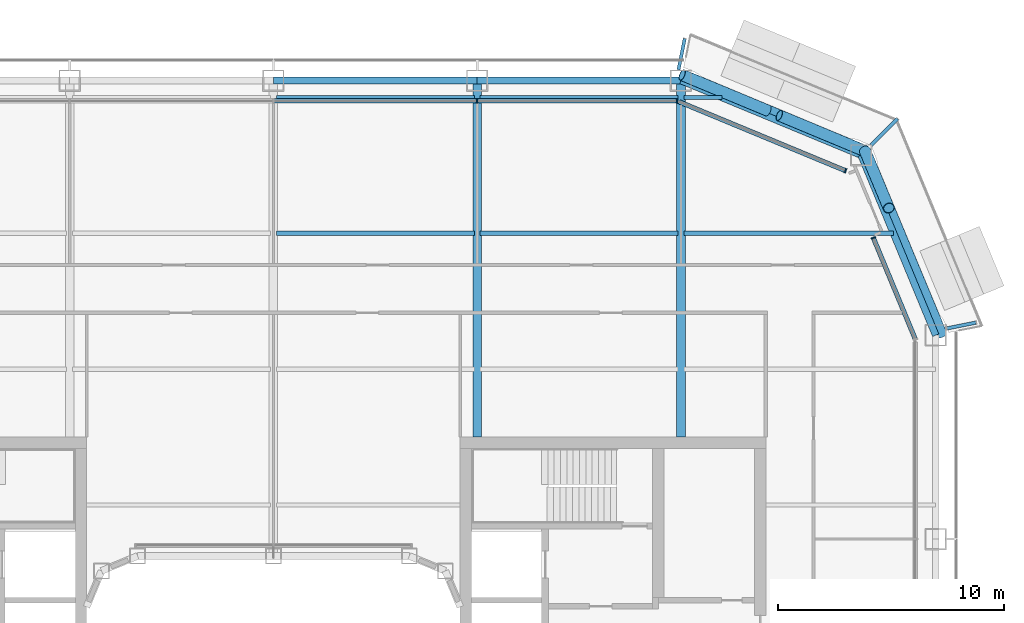
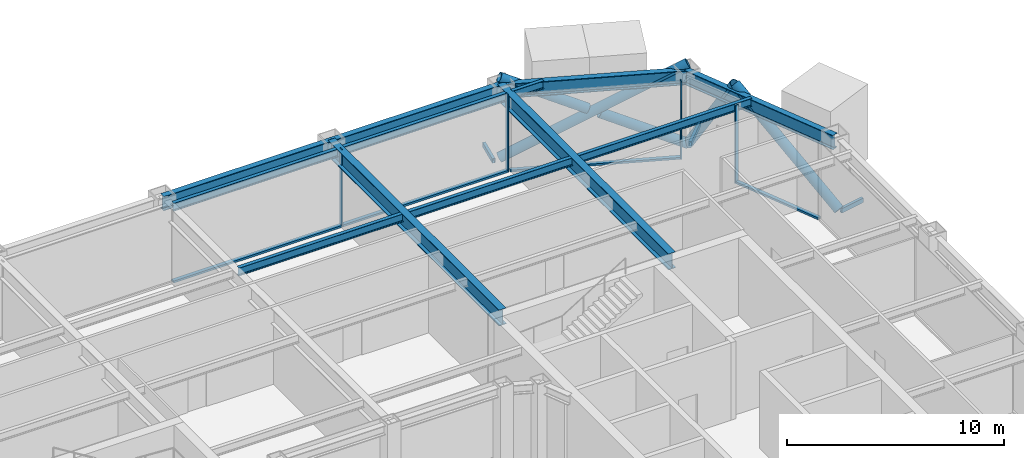
# One storey, part 9 of 23: 15 beams, 13 members, 3 elements without a shape of their own.
"""IFC4 building model written with IfcOpenShell, lengths in metres."""

import ifcopenshell
import ifcopenshell.guid

model = None  # the IFC model being written
_history = None  # IfcOwnerHistory: only IFC2X3 demands one
_inside = {}  # id of a spatial element -> (the spatial element, [elements in it])
_under = {}  # id of a project, library or spatial element -> (it, [spatial elements below it])
_declared = {}  # id of a project -> (the project, [libraries it declares])
_typed = {}  # id of a type object -> (the type object, [elements of that type])
_made_of = {}  # id of a material, layer set ... -> (it, [elements and type objects made of it])


def new_model(schema):
    """Start an empty IFC model of exactly this schema.

    Asked for "IFC4X3", IfcOpenShell would pick the latest addendum, in which some entities
    have other attributes; the version numbers below select the first issue.
    IFC2X3 requires an IfcOwnerHistory on every rooted entity: one is made here for all.
    """
    global model, _history
    if schema == "IFC4X3":
        model = ifcopenshell.file(schema_version=(4, 3, 0, 0))
    else:
        model = ifcopenshell.file(schema=schema)
    _inside.clear()
    _under.clear()
    _declared.clear()
    _typed.clear()
    _made_of.clear()
    _history = None
    if model.schema == "IFC2X3":
        org = make("IfcOrganization", Name="unknown")
        user = make(
            "IfcPersonAndOrganization",
            ThePerson=make("IfcPerson", FamilyName="unknown"),
            TheOrganization=org,
        )
        app = make(
            "IfcApplication",
            ApplicationDeveloper=org,
            Version="unknown",
            ApplicationFullName="unknown",
            ApplicationIdentifier="unknown",
        )
        _history = make(
            "IfcOwnerHistory",
            OwningUser=user,
            OwningApplication=app,
            ChangeAction="ADDED",
            CreationDate=0,
        )
    return model


def make(cls, **values):
    """One entity of the class cls with the attributes given. An attribute that is None is left unset."""
    return model.create_entity(
        cls, **{name: value for name, value in values.items() if value is not None}
    )


def rooted(cls, **values):
    """An entity with a GlobalId (a new one), such as an element, a storey or a relation."""
    return make(cls, GlobalId=ifcopenshell.guid.new(), OwnerHistory=_history, **values)


def si_unit(unit_type, name, prefix=None):
    """IfcSIUnit, for example si_unit("LENGTHUNIT", "METRE", prefix="MILLI")."""
    return make("IfcSIUnit", UnitType=unit_type, Prefix=prefix, Name=name)


def assignment(units):
    """IfcUnitAssignment: the units of a project."""
    return None if units is None else make("IfcUnitAssignment", Units=units)


def point(xyz):
    """IfcCartesianPoint."""
    return None if xyz is None else make("IfcCartesianPoint", Coordinates=xyz)


def direction(xyz):
    """IfcDirection."""
    return None if xyz is None else make("IfcDirection", DirectionRatios=xyz)


def frame(location, z_axis=None, x_axis=None):
    """IfcAxis2Placement3D, a coordinate frame: its origin and axes. An axis left out is left unset."""
    return make(
        "IfcAxis2Placement3D",
        Location=point(location),
        Axis=direction(z_axis),
        RefDirection=direction(x_axis),
    )


def frame_2d(location, x_axis=None):
    """IfcAxis2Placement2D, a coordinate frame in the plane: its origin and x axis."""
    return make(
        "IfcAxis2Placement2D", Location=point(location), RefDirection=direction(x_axis)
    )


def origin():
    """The frame at (0, 0, 0) with its axes left unset."""
    return frame((0.0, 0.0, 0.0))


def origin_2d():
    """The frame at (0, 0) in the plane with its x axis left unset."""
    return frame_2d((0.0, 0.0))


def place(relative_to, where):
    """IfcLocalPlacement: puts the frame where relative to a parent placement (None: the world)."""
    return make(
        "IfcLocalPlacement", PlacementRelTo=relative_to, RelativePlacement=where
    )


def context(
    kind, dimensions, precision=None, world=None, true_north=None, identifier=None
):
    """IfcGeometricRepresentationContext, for example the 3D "Model" context."""
    return make(
        "IfcGeometricRepresentationContext",
        ContextIdentifier=identifier,
        ContextType=kind,
        CoordinateSpaceDimension=dimensions,
        Precision=precision,
        WorldCoordinateSystem=world,
        TrueNorth=true_north,
    )


def subcontext(parent, identifier, kind, view, scale=None):
    """IfcGeometricRepresentationSubContext, for example "Body" below "Model"."""
    return make(
        "IfcGeometricRepresentationSubContext",
        ContextIdentifier=identifier,
        ContextType=kind,
        ParentContext=parent,
        TargetScale=scale,
        TargetView=view,
    )


def project(units=None, contexts=None):
    """IfcProject with its units and contexts."""
    return rooted(
        "IfcProject",
        Name="project",
        RepresentationContexts=contexts,
        UnitsInContext=assignment(units),
    )


def spatial(cls, under=None, at=None, **own):
    """A site, building, storey or space (cls), placed at a placement, below another one or the project."""
    s = rooted(cls, ObjectPlacement=at, **own)
    if under is not None:
        _under.setdefault(under.id(), (under, []))[1].append(s)
    return s


def profile(cls, at=None, kind="AREA", **sizes):
    """A parametric profile (cls). Its sizes go by their IFC names, for example OverallWidth=200.0."""
    return make(cls, ProfileType=kind, Position=at, **sizes)


def rectangle(**sizes):
    """IfcRectangleProfileDef."""
    return profile("IfcRectangleProfileDef", **sizes)


def hollow_rectangle(**sizes):
    """IfcRectangleHollowProfileDef."""
    return profile("IfcRectangleHollowProfileDef", **sizes)


def hollow_circle(**sizes):
    """IfcCircleHollowProfileDef."""
    return profile("IfcCircleHollowProfileDef", **sizes)


def i_section(**sizes):
    """IfcIShapeProfileDef."""
    return profile("IfcIShapeProfileDef", **sizes)


def extrude(swept, where, along, depth):
    """IfcExtrudedAreaSolid: the profile swept, set in the frame where, extruded along a direction by depth."""
    return make(
        "IfcExtrudedAreaSolid",
        SweptArea=swept,
        Position=where,
        ExtrudedDirection=direction(along),
        Depth=depth,
    )


def shape(context_of_items, identifier, shape_type, items):
    """IfcShapeRepresentation: the items that make up one representation, for example the "Body"."""
    return make(
        "IfcShapeRepresentation",
        ContextOfItems=context_of_items,
        RepresentationIdentifier=identifier,
        RepresentationType=shape_type,
        Items=items,
    )


def material(Name=None, Category=None):
    """IfcMaterial."""
    return make("IfcMaterial", Name=Name, Category=Category)


def layer(
    of_material, thickness, ventilated=None, Name=None, Category=None, Priority=None
):
    """IfcMaterialLayer: one layer of a wall or slab, of a material (None: an air gap)."""
    return make(
        "IfcMaterialLayer",
        Material=of_material,
        LayerThickness=thickness,
        IsVentilated=ventilated,
        Name=Name,
        Category=Category,
        Priority=Priority,
    )


def layer_set(layers, Name=None):
    """IfcMaterialLayerSet."""
    return make("IfcMaterialLayerSet", MaterialLayers=layers, LayerSetName=Name)


def material_profile(
    of_material, cross_section, Name=None, Category=None, Priority=None
):
    """IfcMaterialProfile: a cross section and its material."""
    return make(
        "IfcMaterialProfile",
        Name=Name,
        Material=of_material,
        Profile=cross_section,
        Priority=Priority,
        Category=Category,
    )


def profile_set(profiles, Name=None, composite=None):
    """IfcMaterialProfileSet."""
    return make(
        "IfcMaterialProfileSet",
        Name=Name,
        MaterialProfiles=profiles,
        CompositeProfile=composite,
    )


def made_of(thing, what):
    """Note that an element or type object is made of a material, layer set ...; save() writes the relation."""
    if what is not None:
        _made_of.setdefault(what.id(), (what, []))[1].append(thing)
    return thing


def type_object(cls, material=None, **own):
    """A type object (cls), such as IfcWallType, which elements share."""
    return made_of(rooted(cls, **own), material)


def element(
    cls,
    number,
    at=None,
    inside=None,
    cuts=None,
    type_object=None,
    material=None,
    context=None,
    identifier="Body",
    shape_type=None,
    held_by="IfcProductDefinitionShape",
    body=None,
    shapes=None,
    **own,
):
    """One element of the class cls, such as IfcWall. Its Tag is "e" and its number.

    at: its placement. inside: the storey or other place that contains it. cuts: it is an
    opening in that element (IfcRelVoidsElement). A single representation is given by context,
    identifier, shape_type and body (its items); several are given by shapes. held_by: the class
    of the entity that holds the representations. save() writes the other relations.
    """
    e = rooted(cls, Tag="e%d" % number, ObjectPlacement=at, **own)
    if body is not None:
        shapes = [shape(context, identifier, shape_type, body)]
    if shapes is not None:
        e.Representation = make(held_by, Representations=shapes)
    if inside is not None:
        _inside.setdefault(inside.id(), (inside, []))[1].append(e)
    if cuts is not None:
        rooted(
            "IfcRelVoidsElement", RelatingBuildingElement=cuts, RelatedOpeningElement=e
        )
    if type_object is not None:
        _typed.setdefault(type_object.id(), (type_object, []))[1].append(e)
    return made_of(e, material)


def aggregate(whole, parts):
    """IfcRelAggregates: a whole, such as a stair, and the parts it consists of."""
    return rooted("IfcRelAggregates", RelatingObject=whole, RelatedObjects=parts)


def save(model, path):
    """Write the relations noted so far, then the file.

    IfcRelAggregates (storeys below a building ...), IfcRelContainedInSpatialStructure (elements
    in a storey), IfcRelDefinesByType, IfcRelAssociatesMaterial and IfcRelDeclares: one each for
    every whole, place, type object, material and project.
    """
    for whole, parts in _under.values():
        aggregate(whole, parts)
    for where, things in _inside.values():
        rooted(
            "IfcRelContainedInSpatialStructure",
            RelatedElements=things,
            RelatingStructure=where,
        )
    for kind, things in _typed.values():
        rooted("IfcRelDefinesByType", RelatedObjects=things, RelatingType=kind)
    for what, things in _made_of.values():
        rooted("IfcRelAssociatesMaterial", RelatedObjects=things, RelatingMaterial=what)
    for by, libraries in _declared.values():
        rooted("IfcRelDeclares", RelatingContext=by, RelatedDefinitions=libraries)
    model.write(path)


model = new_model("IFC4")

# Units and contexts
model_context = context("Model", 3, precision=1e-05, world=origin(), true_north=direction((0.0, 1.0)))
body_context = subcontext(model_context, "Body", "Model", "MODEL_VIEW")
ifc_project = project(units=[si_unit("LENGTHUNIT", "METRE"), si_unit("AREAUNIT", "SQUARE_METRE"), si_unit("VOLUMEUNIT", "CUBIC_METRE"), si_unit("PLANEANGLEUNIT", "RADIAN"), si_unit("MASSUNIT", "GRAM", prefix="KILO")], contexts=[model_context])

# Site, building, storey
site_placement = place(None, origin())
site = spatial("IfcSite", under=ifc_project, at=site_placement, CompositionType="ELEMENT")
building_placement = place(site_placement, origin())
building = spatial("IfcBuilding", under=site, at=building_placement, Name="Siwar Civic Tower", CompositionType="ELEMENT")
storey_placement = place(building_placement, frame((0.0, 0.0, 131.699951171875)))
storey = spatial("IfcBuildingStorey", under=building, at=storey_placement, Name="L28", CompositionType="ELEMENT", Elevation=131.699951171875)

# Beams
ifc_material_1 = material(Name="Steel S355", Category="steel")
ifc_material_profile_1 = material_profile(ifc_material_1, hollow_rectangle(XDim=0.14990234375, YDim=0.25, WallThickness=0.010009765625, at=origin_2d()), Name="RHS250x150x10")
ifc_profile_set_1 = profile_set([ifc_material_profile_1], Name="Steel S355")
beam_type_1 = type_object("IfcBeamType", Name="ENV-BALCONY ARM", PredefinedType="BEAM", material=ifc_profile_set_1)
beam_1_placement = place(storey_placement, frame((29.73486328125, 18.30029296875, -0.27490234375), z_axis=(0.980765602568, 0.195189223115, 0.0), x_axis=(-0.195189223115, 0.980765602568, 0.0)))
element("IfcBeam", 1, at=beam_1_placement, inside=storey, type_object=beam_type_1, Name="Balcony cantilever beam NE 1", PredefinedType="BEAM", context=body_context, shape_type="SweptSolid", body=[
    extrude(hollow_rectangle(XDim=0.14990234375, YDim=0.25, WallThickness=0.010009765625, at=origin_2d()), origin(), (0.0, 0.0, 1.0), 1.317138671875),
])
beam_2_placement = place(storey_placement, frame((26.39453125, 26.39453125, -0.27490234375), z_axis=(0.707106781187, 0.707106781187, 0.0), x_axis=(-0.707106781187, 0.707106781187, 0.0)))
element("IfcBeam", 2, at=beam_2_placement, inside=storey, type_object=beam_type_1, Name="Balcony cantilever beam NE 2", PredefinedType="BEAM", context=body_context, shape_type="SweptSolid", body=[
    extrude(hollow_rectangle(XDim=0.14990234375, YDim=0.25, WallThickness=0.010009765625, at=origin_2d()), origin(), (0.0, 0.0, 1.0), 1.6513671875),
])
beam_3_placement = place(storey_placement, frame((17.890625, 29.72509765625, -0.27490234375), z_axis=(0.195114555191, 0.980780459814, 0.0), x_axis=(-0.980780459814, 0.195114555191, 0.0)))
element("IfcBeam", 3, at=beam_3_placement, inside=storey, type_object=beam_type_1, Name="Balcony cantilever beam NE 3", PredefinedType="BEAM", context=body_context, shape_type="SweptSolid", body=[
    extrude(hollow_rectangle(XDim=0.14990234375, YDim=0.25, WallThickness=0.010009765625, at=origin_2d()), origin(), (0.0, 0.0, 1.0), 1.406494140625),
])

# Curtain wall, member
ifc_material_2 = material(Name="Aluminium clad insulated panel", Category="aluminium")
ifc_layer_1 = layer(ifc_material_2, 0.199951171875)
ifc_layer_set_1 = layer_set([ifc_layer_1], Name="Aluminium clad insulated panel")
curtain_wall_type_1 = type_object("IfcCurtainWallType", Name="ENV-CW-BX", PredefinedType="NOTDEFINED", material=ifc_layer_set_1)
curtain_wall_1_placement = place(storey_placement, origin())
curtain_wall_1 = element("IfcCurtainWall", 4, at=curtain_wall_1_placement, inside=storey, type_object=curtain_wall_type_1, Name="Curtain wall B NE1", PredefinedType="NOTDEFINED")
ifc_material_3 = material(Name="Aluminium 6063-T6", Category="aluminium")
ifc_material_profile_2 = material_profile(ifc_material_3, rectangle(XDim=0.199951171875, YDim=0.06494140625, at=origin_2d()), Name="AL 200x65")
ifc_profile_set_2 = profile_set([ifc_material_profile_2], Name="Aluminium 6063-T6")
member_type_1 = type_object("IfcMemberType", Name="ENV-MULLION-B", PredefinedType="MULLION", material=ifc_profile_set_2)
member_1_placement = place(storey_placement, frame((26.4951171875, 22.299072265625, 0.0), z_axis=(0.0, 0.0, 1.0), x_axis=(-0.923879532511, -0.382683432365, 0.0)))
member_1 = element("IfcMember", 5, at=member_1_placement, type_object=member_type_1, Name="Mullion B NE1 2", PredefinedType="MULLION", context=body_context, shape_type="SweptSolid", body=[
    extrude(rectangle(XDim=0.199951171875, YDim=0.06494140625, at=origin_2d()), origin(), (0.0, 0.0, 1.0), 4.35009765625),
])

curtain_wall_2_placement = place(storey_placement, origin())
curtain_wall_2 = element("IfcCurtainWall", 6, at=curtain_wall_2_placement, inside=storey, type_object=curtain_wall_type_1, Name="Curtain wall B NE2", PredefinedType="NOTDEFINED")
member_2_placement = place(storey_placement, frame((25.26611328125, 25.26611328125, 0.0), z_axis=(0.0, 0.0, 1.0), x_axis=(-0.382683432365, -0.923879532511, 0.0)))
member_2 = element("IfcMember", 7, at=member_2_placement, type_object=member_type_1, Name="Mullion B NE2 1", PredefinedType="MULLION", context=body_context, shape_type="SweptSolid", body=[
    extrude(rectangle(XDim=0.199951171875, YDim=0.06494140625, at=origin_2d()), origin(), (0.0, 0.0, 1.0), 4.35009765625),
])

# Curtain wall, members
ifc_material_4 = material(Name="Aluminium and glass", Category="aluminium")
ifc_layer_2 = layer(ifc_material_4, 0.199951171875)
ifc_layer_set_2 = layer_set([ifc_layer_2], Name="Aluminium and glass")
curtain_wall_type_2 = type_object("IfcCurtainWallType", Name="ENV-CW-B", PredefinedType="NOTDEFINED", material=ifc_layer_set_2)
curtain_wall_3_placement = place(storey_placement, origin())
curtain_wall_3 = element("IfcCurtainWall", 8, at=curtain_wall_3_placement, inside=storey, type_object=curtain_wall_type_2, Name="Curtain wall B N", PredefinedType="NOTDEFINED")
member_3_placement = place(storey_placement, frame((17.821044921875, 28.35009765625, 0.0), z_axis=(0.0, 0.0, 1.0), x_axis=(0.0, -1.0, 0.0)))
member_3 = element("IfcMember", 9, at=member_3_placement, type_object=member_type_1, Name="Mullion B N 1", PredefinedType="MULLION", context=body_context, shape_type="SweptSolid", body=[
    extrude(rectangle(XDim=0.199951171875, YDim=0.06494140625, at=origin_2d()), origin(), (0.0, 0.0, 1.0), 4.35009765625),
])
member_4_placement = place(storey_placement, frame((9.0, 28.35009765625, 0.0), z_axis=(0.0, 0.0, 1.0), x_axis=(0.0, -1.0, 0.0)))
member_4 = element("IfcMember", 10, at=member_4_placement, type_object=member_type_1, Name="Mullion B N 2", PredefinedType="MULLION", context=body_context, shape_type="SweptSolid", body=[
    extrude(rectangle(XDim=0.199951171875, YDim=0.06494140625, at=origin_2d()), origin(), (0.0, 0.0, 1.0), 4.35009765625),
])

# Member
ifc_material_5 = material(Name="Aluminium 6063-T6", Category="aluminium")
ifc_material_profile_3 = material_profile(ifc_material_5, rectangle(XDim=0.199951171875, YDim=0.110107421875, at=origin_2d()), Name="AL 200x110")
ifc_profile_set_3 = profile_set([ifc_material_profile_3], Name="Aluminium 6063-T6")
member_type_2 = type_object("IfcMemberType", Name="ENV-TRANSOM-B", PredefinedType="USERDEFINED", material=ifc_profile_set_3)
member_5_placement = place(storey_placement, frame((28.337646484375, 17.85107421875, 0.054931640625), z_axis=(-0.382700487371, 0.923872467912, 0.0), x_axis=(-0.923872467912, -0.382700487371, 0.0)))
member_5 = element("IfcMember", 11, at=member_5_placement, type_object=member_type_2, Name="Transom B NE1 1", ObjectType="TRANSOM", PredefinedType="USERDEFINED", context=body_context, shape_type="SweptSolid", body=[
    extrude(rectangle(XDim=0.199951171875, YDim=0.110107421875, at=origin_2d()), origin(), (0.0, 0.0, 1.0), 4.781982421875),
])

aggregate(curtain_wall_1, [member_1, member_5])

member_6_placement = place(storey_placement, frame((25.236083984375, 25.278564453125, 0.054931640625), z_axis=(-0.923883705044, 0.382673358825, 0.0), x_axis=(-0.382673358825, -0.923883705044, 0.0)))
member_6 = element("IfcMember", 12, at=member_6_placement, type_object=member_type_2, Name="Transom B NE2 1", ObjectType="TRANSOM", PredefinedType="USERDEFINED", context=body_context, shape_type="SweptSolid", body=[
    extrude(rectangle(XDim=0.199951171875, YDim=0.110107421875, at=origin_2d()), origin(), (0.0, 0.0, 1.0), 7.912353515625),
])

aggregate(curtain_wall_2, [member_2, member_6])

member_7_placement = place(storey_placement, frame((17.78857421875, 28.35009765625, 0.054931640625), z_axis=(-1.0, 0.0, 0.0), x_axis=(0.0, -1.0, 0.0)))
member_7 = element("IfcMember", 13, at=member_7_placement, type_object=member_type_2, Name="Transom B N 1", ObjectType="TRANSOM", PredefinedType="USERDEFINED", context=body_context, shape_type="SweptSolid", body=[
    extrude(rectangle(XDim=0.199951171875, YDim=0.110107421875, at=origin_2d()), origin(), (0.0, 0.0, 1.0), 8.756103515625),
])

member_8_placement = place(storey_placement, frame((8.967529296875, 28.35009765625, 0.054931640625), z_axis=(-1.0, 0.0, 0.0), x_axis=(0.0, -1.0, 0.0)))
member_8 = element("IfcMember", 14, at=member_8_placement, type_object=member_type_2, Name="Transom B N 2", ObjectType="TRANSOM", PredefinedType="USERDEFINED", context=body_context, shape_type="SweptSolid", body=[
    extrude(rectangle(XDim=0.199951171875, YDim=0.110107421875, at=origin_2d()), origin(), (0.0, 0.0, 1.0), 8.93505859375),
])

aggregate(curtain_wall_3, [member_3, member_4, member_7, member_8])

# Members
ifc_material_6 = material(Name="Steel S355", Category="steel")
ifc_material_profile_4 = material_profile(ifc_material_6, hollow_circle(Radius=0.25390625, WallThickness=0.02490234375, at=origin_2d()), Name="CHS508x25")
ifc_profile_set_4 = profile_set([ifc_material_profile_4], Name="Steel S355")
member_type_3 = type_object("IfcMemberType", Name="STR-BR-CHS508x25", PredefinedType="BRACE", material=ifc_profile_set_4)
member_9_placement = place(storey_placement, frame((18.048828125, 29.4951171875, 0.0), z_axis=(0.821142553604, -0.341671493852, 0.457149315816), x_axis=(0.384163874976, 0.923264922524, 0.0)))
element("IfcMember", 15, at=member_9_placement, inside=storey, type_object=member_type_3, Name="L28/brc/BNE1-7-0-1", PredefinedType="BRACE", context=body_context, shape_type="SweptSolid", body=[
    extrude(hollow_circle(Radius=0.25390625, WallThickness=0.02490234375, at=origin_2d()), origin(), (0.0, 0.0, 1.0), 9.843505859375),
])
member_10_placement = place(storey_placement, frame((26.1318359375, 26.1318359375, 0.0), z_axis=(-0.821143275065, 0.341662474736, 0.457154760636), x_axis=(-0.384154943021, -0.923268638995, 0.0)))
element("IfcMember", 16, at=member_10_placement, inside=storey, type_object=member_type_3, Name="L28/brc/BNE1-7-0-2", PredefinedType="BRACE", context=body_context, shape_type="SweptSolid", body=[
    extrude(hollow_circle(Radius=0.25390625, WallThickness=0.02490234375, at=origin_2d()), origin(), (0.0, 0.0, 1.0), 4.61474609375),
])
member_11_placement = place(storey_placement, frame((21.837890625, 27.91845703125, 2.390625), z_axis=(-0.821145902409, 0.34168558233, 0.457132770413), x_axis=(-0.384176042158, -0.923259859753, 0.0)))
element("IfcMember", 17, at=member_11_placement, inside=storey, type_object=member_type_3, Name="L28/brc/BNE1-7-0-3", PredefinedType="BRACE", context=body_context, shape_type="SweptSolid", body=[
    extrude(hollow_circle(Radius=0.25390625, WallThickness=0.02490234375, at=origin_2d()), origin(), (0.0, 0.0, 1.0), 4.6142578125),
])
member_12_placement = place(storey_placement, frame((29.4951171875, 18.048828125, 0.0), z_axis=(-0.307903068035, 0.739973158344, 0.598026275029), x_axis=(-0.923262455747, -0.384169803352, 0.0)))
element("IfcMember", 18, at=member_12_placement, inside=storey, type_object=member_type_3, Name="L28/brc/BNE1-7-0-0", PredefinedType="BRACE", context=body_context, shape_type="SweptSolid", body=[
    extrude(hollow_circle(Radius=0.25390625, WallThickness=0.02490234375, at=origin_2d()), origin(), (0.0, 0.0, 1.0), 7.524658203125),
])
member_13_placement = place(storey_placement, frame((26.1318359375, 26.1318359375, 0.0), z_axis=(0.198925611165, -0.478099094869, 0.855482236349), x_axis=(0.92327038402, 0.384150749045, 0.0)))
element("IfcMember", 19, at=member_13_placement, inside=storey, type_object=member_type_3, Name="L28/brc/BNE1-7-0-6", PredefinedType="BRACE", context=body_context, shape_type="SweptSolid", body=[
    extrude(hollow_circle(Radius=0.25390625, WallThickness=0.02490234375, at=origin_2d()), origin(), (0.0, 0.0, 1.0), 5.26025390625),
])

# Beams
ifc_material_7 = material(Name="Steel S355", Category="steel")
ifc_material_profile_5 = material_profile(ifc_material_7, i_section(OverallWidth=0.18994140625, OverallDepth=0.449951171875, WebThickness=0.009521484375, FlangeThickness=0.0146484375, FilletRadius=0.02099609375, at=origin_2d()), Name="IPE450")
ifc_profile_set_5 = profile_set([ifc_material_profile_5], Name="Steel S355")
beam_type_2 = type_object("IfcBeamType", Name="STR-FB-IPE450", PredefinedType="JOIST", material=ifc_profile_set_5)
for number, where, z_axis, x_axis, name in (
    (20, (0.1298828125, 22.5, 4.125), (1.0, 0.0, 0.0), (0.0, 1.0, 0.0), "L28/bm/F040"),
    (21, (9.1298828125, 22.5, 4.125), (1.0, 0.0, 0.0), (0.0, 1.0, 0.0), "L28/bm/F041"),
):
    element("IfcBeam", number, at=place(storey_placement, frame(where, z_axis=z_axis, x_axis=x_axis)), inside=storey, type_object=beam_type_2, Name=name, PredefinedType="JOIST", context=body_context, shape_type="SweptSolid", body=[
        extrude(i_section(OverallWidth=0.18994140625, OverallDepth=0.449951171875, WebThickness=0.009521484375, FlangeThickness=0.0146484375, FilletRadius=0.02099609375, at=origin_2d()), origin(), (0.0, 0.0, 1.0), 8.740234375),
    ])
beam_4_placement = place(storey_placement, frame((18.1298828125, 22.5, 4.125), z_axis=(1.0, 0.0, 0.0), x_axis=(0.0, 1.0, 0.0)))
element("IfcBeam", 22, at=beam_4_placement, inside=storey, type_object=beam_type_2, Name="L28/bm/F042", PredefinedType="JOIST", context=body_context, shape_type="SweptSolid", body=[
    extrude(i_section(OverallWidth=0.18994140625, OverallDepth=0.449951171875, WebThickness=0.009521484375, FlangeThickness=0.0146484375, FilletRadius=0.02099609375, at=origin_2d()), origin(), (0.0, 0.0, 1.0), 9.256103515625),
])
for number, where, z_axis, x_axis, name in (
    (23, (0.1298828125, 28.5, 4.125), (1.0, 0.0, 0.0), (0.0, 1.0, 0.0), "L28/bm/F046"),
    (24, (9.1298828125, 28.5, 4.125), (1.0, 0.0, 0.0), (0.0, 1.0, 0.0), "L28/bm/F047"),
):
    element("IfcBeam", number, at=place(storey_placement, frame(where, z_axis=z_axis, x_axis=x_axis)), inside=storey, type_object=beam_type_2, Name=name, PredefinedType="JOIST", context=body_context, shape_type="SweptSolid", body=[
        extrude(i_section(OverallWidth=0.18994140625, OverallDepth=0.449951171875, WebThickness=0.009521484375, FlangeThickness=0.0146484375, FilletRadius=0.02099609375, at=origin_2d()), origin(), (0.0, 0.0, 1.0), 8.740234375),
    ])
beam_5_placement = place(storey_placement, frame((18.1298828125, 28.5, 4.125), z_axis=(1.0, 0.0, 0.0), x_axis=(0.0, 1.0, 0.0)))
element("IfcBeam", 25, at=beam_5_placement, inside=storey, type_object=beam_type_2, Name="L28/bm/F048", PredefinedType="JOIST", context=body_context, shape_type="SweptSolid", body=[
    extrude(i_section(OverallWidth=0.18994140625, OverallDepth=0.449951171875, WebThickness=0.009521484375, FlangeThickness=0.0146484375, FilletRadius=0.02099609375, at=origin_2d()), origin(), (0.0, 0.0, 1.0), 1.6806640625),
])
ifc_material_8 = material(Name="Steel S355", Category="steel")
ifc_material_profile_6 = material_profile(ifc_material_8, i_section(OverallWidth=0.3798828125, OverallDepth=0.89990234375, WebThickness=0.01611328125, FlangeThickness=0.035888671875, at=origin_2d()), Name="PG900x380x16x36")
ifc_profile_set_6 = profile_set([ifc_material_profile_6], Name="Steel S355")
beam_type_3 = type_object("IfcBeamType", Name="STR-PG-PG900x380x16x36", PredefinedType="BEAM", material=ifc_profile_set_6)
for number, where, z_axis, x_axis, name in (
    (26, (9.0, 13.5, 3.900146484375), (0.0, 1.0, 0.0), (-1.0, 0.0, 0.0), "L28/bm/G08"),
    (27, (18.0, 13.5, 3.900146484375), (0.0, 1.0, 0.0), (-1.0, 0.0, 0.0), "L28/bm/G10"),
):
    element("IfcBeam", number, at=place(storey_placement, frame(where, z_axis=z_axis, x_axis=x_axis)), inside=storey, type_object=beam_type_3, Name=name, PredefinedType="BEAM", context=body_context, shape_type="SweptSolid", body=[
        extrude(i_section(OverallWidth=0.3798828125, OverallDepth=0.89990234375, WebThickness=0.01611328125, FlangeThickness=0.035888671875, at=origin_2d()), origin(), (0.0, 0.0, 1.0), 15.75),
    ])
ifc_material_9 = material(Name="Steel S355", Category="steel")
ifc_material_profile_7 = material_profile(ifc_material_9, i_section(OverallWidth=0.300048828125, OverallDepth=0.800048828125, WebThickness=0.017578125, FlangeThickness=0.032958984375, FilletRadius=0.030029296875, at=origin_2d()), Name="HEB800")
ifc_profile_set_7 = profile_set([ifc_material_profile_7], Name="Steel S355")
beam_type_4 = type_object("IfcBeamType", Name="STR-SB-HEB800", PredefinedType="BEAM", material=ifc_profile_set_7)
for number, where, z_axis, x_axis, name in (
    (28, (29.25, 18.0, 3.949951171875), (-0.382699877515, 0.923872720536, 0.0), (-0.923872720536, -0.382699877515, 0.0), "L28/bm/SNE1-0"),
    (29, (25.954833984375, 25.954833984375, 3.949951171875), (-0.923872720536, 0.382699877515, 0.0), (-0.382699877515, -0.923872720536, 0.0), "L28/bm/SNE2-0"),
):
    element("IfcBeam", number, at=place(storey_placement, frame(where, z_axis=z_axis, x_axis=x_axis)), inside=storey, type_object=beam_type_4, Name=name, PredefinedType="BEAM", context=body_context, shape_type="SweptSolid", body=[
        extrude(i_section(OverallWidth=0.300048828125, OverallDepth=0.800048828125, WebThickness=0.017578125, FlangeThickness=0.032958984375, FilletRadius=0.030029296875, at=origin_2d()), origin(), (0.0, 0.0, 1.0), 8.6103515625),
    ])
for number, where, z_axis, x_axis, name in (
    (30, (18.0, 29.25, 3.949951171875), (-1.0, 0.0, 0.0), (0.0, -1.0, 0.0), "L28/bm/SN-0"),
    (31, (9.0, 29.25, 3.949951171875), (-1.0, 0.0, 0.0), (0.0, -1.0, 0.0), "L28/bm/SN-1"),
):
    element("IfcBeam", number, at=place(storey_placement, frame(where, z_axis=z_axis, x_axis=x_axis)), inside=storey, type_object=beam_type_4, Name=name, PredefinedType="BEAM", context=body_context, shape_type="SweptSolid", body=[
        extrude(i_section(OverallWidth=0.300048828125, OverallDepth=0.800048828125, WebThickness=0.017578125, FlangeThickness=0.032958984375, FilletRadius=0.030029296875, at=origin_2d()), origin(), (0.0, 0.0, 1.0), 9.0),
    ])

save(model, "model.ifc")
